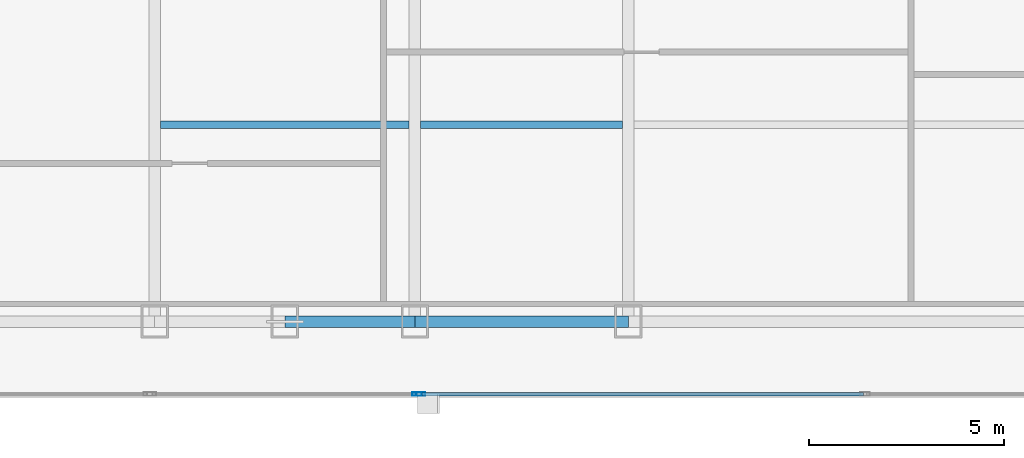
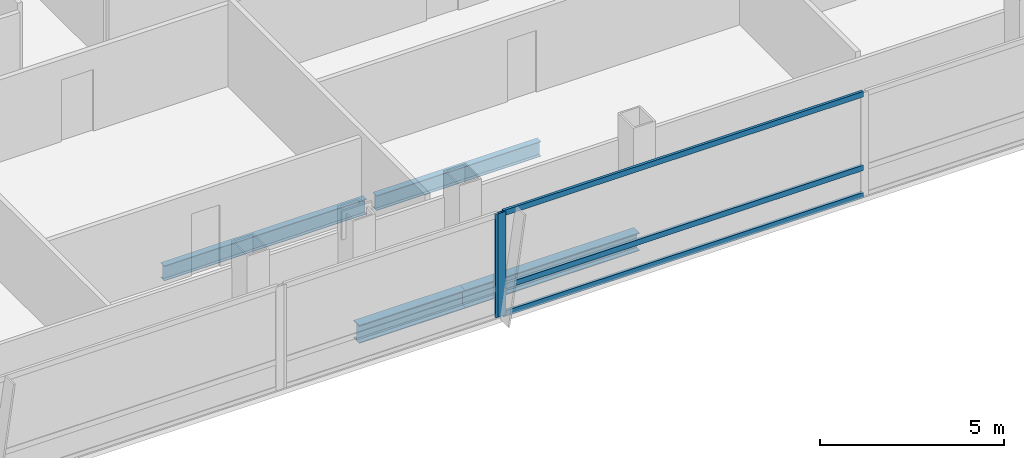
# One storey, part 8 of 29: 5 members, 4 beams, 2 elements without a shape of their own.
"""IFC4 building model written with IfcOpenShell, lengths in metres."""

from ifc_helpers import new_model, si_unit, direction, frame, origin, origin_2d, place, context, subcontext, project, spatial, hollow_rectangle, i_section, extrude, material, material_profile, profile_set, type_object, element, aggregate, save


model = new_model("IFC4")

# Units and contexts
model_context = context("Model", 3, precision=1e-05, world=origin(), true_north=direction((0.0, 1.0)))
body_context = subcontext(model_context, "Body", "Model", "MODEL_VIEW")
ifc_project = project(units=[si_unit("LENGTHUNIT", "METRE"), si_unit("AREAUNIT", "SQUARE_METRE"), si_unit("VOLUMEUNIT", "CUBIC_METRE"), si_unit("PLANEANGLEUNIT", "RADIAN"), si_unit("MASSUNIT", "GRAM", prefix="KILO")], contexts=[model_context])

# Site, building, storey
site_placement = place(None, origin())
site = spatial("IfcSite", under=ifc_project, at=site_placement, CompositionType="ELEMENT")
building_placement = place(site_placement, origin())
building = spatial("IfcBuilding", under=site, at=building_placement, Name="Khoronbel Lancet Exchange", CompositionType="ELEMENT")
storey_placement = place(building_placement, frame((0.0, 0.0, 165.0)))
storey = spatial("IfcBuildingStorey", under=building, at=storey_placement, Name="L41", CompositionType="ELEMENT", Elevation=165.0)

# Beams
ifc_material_1 = material(Name="Steel S355", Category="steel")
ifc_material_profile_1 = material_profile(ifc_material_1, i_section(OverallWidth=0.199951171875, OverallDepth=0.5, WebThickness=0.01025390625, FlangeThickness=0.01611328125, at=origin_2d()), Name="IPE 500")
ifc_profile_set_1 = profile_set([ifc_material_profile_1], Name="Steel S355")
beam_type_1 = type_object("IfcBeamType", Name="BM-BJ3", PredefinedType="JOIST", material=ifc_profile_set_1)
beam_1_placement = place(storey_placement, frame((18.375, 15.199951171875, -0.409912109375), z_axis=(1.0, 0.0, 0.0), x_axis=(0.0, 1.0, 0.0)))
element("IfcBeam", 1, at=beam_1_placement, inside=storey, type_object=beam_type_1, Name="Level L41 secondary composite joist J01", PredefinedType="JOIST", context=body_context, shape_type="SweptSolid", body=[
    extrude(i_section(OverallWidth=0.199951171875, OverallDepth=0.5, WebThickness=0.01025390625, FlangeThickness=0.01611328125, at=origin_2d()), origin(), (0.0, 0.0, 1.0), 6.375),
])
beam_2_placement = place(storey_placement, frame((25.050048828125, 15.199951171875, -0.409912109375), z_axis=(1.0, 0.0, 0.0), x_axis=(0.0, 1.0, 0.0)))
element("IfcBeam", 2, at=beam_2_placement, inside=storey, type_object=beam_type_1, Name="Level L41 secondary composite joist J02", PredefinedType="JOIST", context=body_context, shape_type="SweptSolid", body=[
    extrude(i_section(OverallWidth=0.199951171875, OverallDepth=0.5, WebThickness=0.01025390625, FlangeThickness=0.01611328125, at=origin_2d()), origin(), (0.0, 0.0, 1.0), 5.175048828125),
])
ifc_material_profile_2 = material_profile(ifc_material_1, i_section(OverallWidth=0.300048828125, OverallDepth=0.60009765625, WebThickness=0.015380859375, FlangeThickness=0.030029296875, at=origin_2d()), Name="HEB 600")
ifc_profile_set_2 = profile_set([ifc_material_profile_2], Name="Steel S355")
beam_type_2 = type_object("IfcBeamType", Name="BM-BSP2", PredefinedType="SPANDREL", material=ifc_profile_set_2)
beam_3_placement = place(storey_placement, frame((21.5625, 10.14990234375, -0.4599609375), z_axis=(1.0, 0.0, 0.0), x_axis=(0.0, 1.0, 0.0)))
element("IfcBeam", 3, at=beam_3_placement, inside=storey, type_object=beam_type_2, Name="Level L41 perimeter spandrel beam SP03", PredefinedType="SPANDREL", context=body_context, shape_type="SweptSolid", body=[
    extrude(i_section(OverallWidth=0.300048828125, OverallDepth=0.60009765625, WebThickness=0.015380859375, FlangeThickness=0.030029296875, at=origin_2d()), origin(), (0.0, 0.0, 1.0), 3.33740234375),
])
beam_4_placement = place(storey_placement, frame((24.89990234375, 10.14990234375, -0.4599609375), z_axis=(1.0, 0.0, 0.0), x_axis=(0.0, 1.0, 0.0)))
element("IfcBeam", 4, at=beam_4_placement, inside=storey, type_object=beam_type_2, Name="Level L41 perimeter spandrel beam SP04", PredefinedType="SPANDREL", context=body_context, shape_type="SweptSolid", body=[
    extrude(i_section(OverallWidth=0.300048828125, OverallDepth=0.60009765625, WebThickness=0.015380859375, FlangeThickness=0.030029296875, at=origin_2d()), origin(), (0.0, 0.0, 1.0), 5.47509765625),
])

# Curtain wall, member
ifc_material_2 = material(Name="Low-E Solar Control Insulating Glass", Category="glass")
curtain_wall_type = type_object("IfcCurtainWallType", Name="CW-3", PredefinedType="NOTDEFINED", material=ifc_material_2)
curtain_wall_1_placement = place(storey_placement, origin())
curtain_wall_1 = element("IfcCurtainWall", 5, at=curtain_wall_1_placement, inside=storey, type_object=curtain_wall_type, Name="Unitised curtain wall CW-L41-SWB", PredefinedType="NOTDEFINED")
ifc_material_3 = material(Name="Bronze-Anodised Aluminium 6063-T6", Category="aluminium")
ifc_material_profile_3 = material_profile(ifc_material_3, hollow_rectangle(XDim=0.0849609375, YDim=0.239990234375, WallThickness=0.006103515625, at=origin_2d()), Name="ALU MULLION 85x240")
ifc_profile_set_3 = profile_set([ifc_material_profile_3], Name="Bronze-Anodised Aluminium 6063-T6")
member_type_1 = type_object("IfcMemberType", Name="MEM-CWM1", PredefinedType="MULLION", material=ifc_profile_set_3)
member_1_placement = place(storey_placement, frame((24.95751953125, 8.2900390625, 0.0), z_axis=(0.0, 0.0, 1.0), x_axis=(0.0, 1.0, 0.0)))
member_1 = element("IfcMember", 6, at=member_1_placement, type_object=member_type_1, Name="CW3 mullion 2", PredefinedType="MULLION", context=body_context, shape_type="SweptSolid", body=[
    extrude(hollow_rectangle(XDim=0.0849609375, YDim=0.239990234375, WallThickness=0.006103515625, at=origin_2d()), origin(), (0.0, 0.0, 1.0), 3.43994140625),
])
aggregate(curtain_wall_1, [member_1])

# Curtain wall, members
curtain_wall_2_placement = place(storey_placement, origin())
curtain_wall_2 = element("IfcCurtainWall", 7, at=curtain_wall_2_placement, inside=storey, type_object=curtain_wall_type, Name="Unitised curtain wall CW-L41-SCV", PredefinedType="NOTDEFINED")
member_2_placement = place(storey_placement, frame((25.04248046875, 8.2900390625, 0.0), z_axis=(0.0, 0.0, 1.0), x_axis=(0.0, 1.0, 0.0)))
member_2 = element("IfcMember", 8, at=member_2_placement, type_object=member_type_1, Name="CW3 mullion 1", PredefinedType="MULLION", context=body_context, shape_type="SweptSolid", body=[
    extrude(hollow_rectangle(XDim=0.0849609375, YDim=0.239990234375, WallThickness=0.006103515625, at=origin_2d()), origin(), (0.0, 0.0, 1.0), 3.43994140625),
])
ifc_material_profile_4 = material_profile(ifc_material_3, hollow_rectangle(XDim=0.0849609375, YDim=0.179931640625, WallThickness=0.0048828125, at=origin_2d()), Name="ALU TRANSOM 85x180")
ifc_profile_set_4 = profile_set([ifc_material_profile_4], Name="Bronze-Anodised Aluminium 6063-T6")
member_type_2 = type_object("IfcMemberType", Name="MEM-CWT1", PredefinedType="USERDEFINED", material=ifc_profile_set_4)
member_3_placement = place(storey_placement, frame((25.0849609375, 8.2900390625, 0.04248046875), z_axis=(1.0, 0.0, 0.0), x_axis=(0.0, 1.0, 0.0)))
member_3 = element("IfcMember", 9, at=member_3_placement, type_object=member_type_2, Name="CW3 transom 1.1", ObjectType="TRANSOM", PredefinedType="USERDEFINED", context=body_context, shape_type="SweptSolid", body=[
    extrude(hollow_rectangle(XDim=0.0849609375, YDim=0.179931640625, WallThickness=0.0048828125, at=origin_2d()), origin(), (0.0, 0.0, 1.0), 11.322509765625),
])
member_4_placement = place(storey_placement, frame((25.0849609375, 8.2900390625, 0.949951171875), z_axis=(1.0, 0.0, 0.0), x_axis=(0.0, 1.0, 0.0)))
member_4 = element("IfcMember", 10, at=member_4_placement, type_object=member_type_2, Name="CW3 transom 1.2", ObjectType="TRANSOM", PredefinedType="USERDEFINED", context=body_context, shape_type="SweptSolid", body=[
    extrude(hollow_rectangle(XDim=0.0849609375, YDim=0.179931640625, WallThickness=0.0048828125, at=origin_2d()), origin(), (0.0, 0.0, 1.0), 11.322509765625),
])
member_5_placement = place(storey_placement, frame((25.0849609375, 8.2900390625, 3.3974609375), z_axis=(1.0, 0.0, 0.0), x_axis=(0.0, 1.0, 0.0)))
member_5 = element("IfcMember", 11, at=member_5_placement, type_object=member_type_2, Name="CW3 transom 1.3", ObjectType="TRANSOM", PredefinedType="USERDEFINED", context=body_context, shape_type="SweptSolid", body=[
    extrude(hollow_rectangle(XDim=0.0849609375, YDim=0.179931640625, WallThickness=0.0048828125, at=origin_2d()), origin(), (0.0, 0.0, 1.0), 11.322509765625),
])
aggregate(curtain_wall_2, [member_2, member_3, member_4, member_5])

save(model, "model.ifc")
